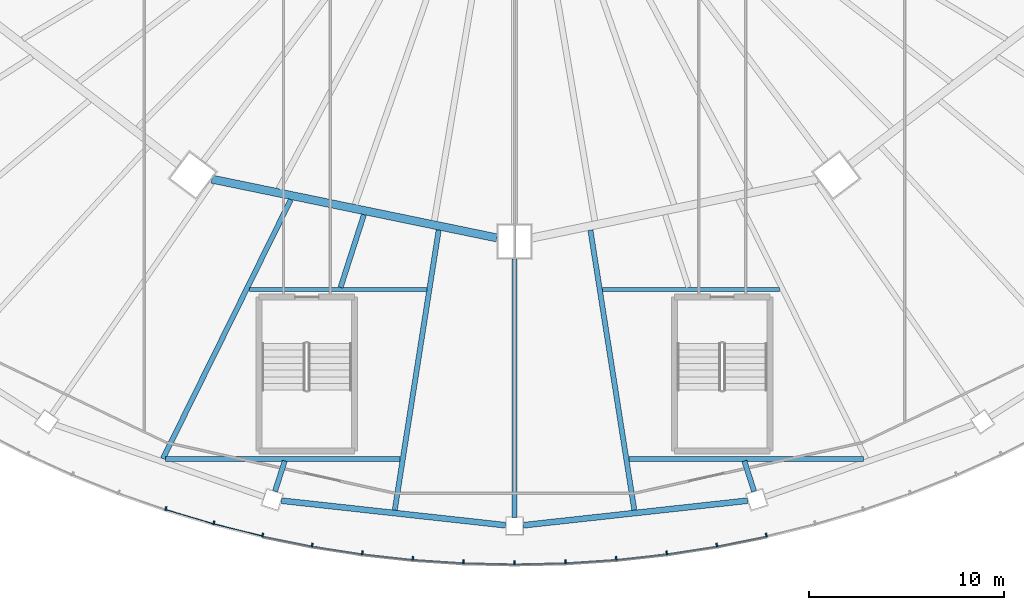
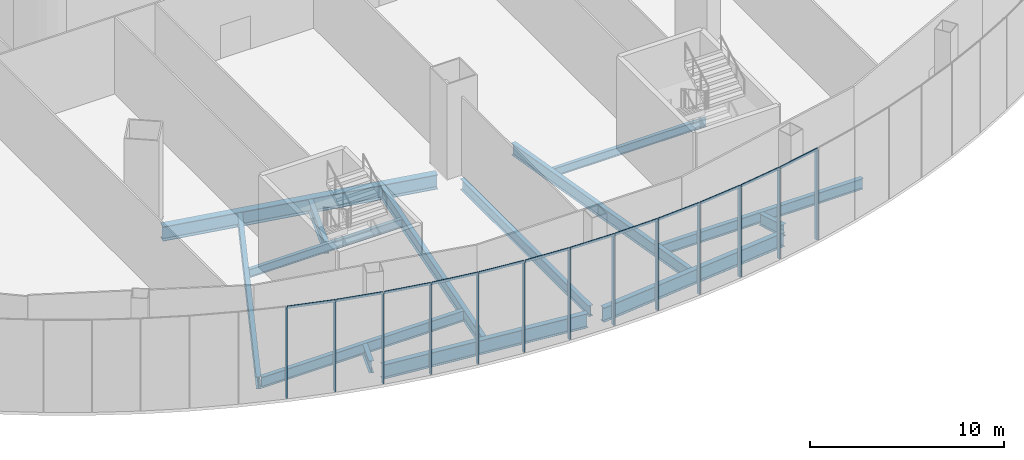
# One storey, part 4 of 37: 25 members, 14 beams, 4 elements without a shape of their own.
"""IFC4 building model written with IfcOpenShell, lengths in metres."""

from ifc_helpers import new_model, si_unit, direction, frame, origin, origin_2d, place, context, subcontext, project, spatial, rectangle, i_section, extrude, material, layer, layer_set, material_profile, profile_set, type_object, element, aggregate, save


model = new_model("IFC4")

# Units and contexts
model_context = context("Model", 3, precision=1e-05, world=origin(), true_north=direction((0.0, 1.0)))
body_context = subcontext(model_context, "Body", "Model", "MODEL_VIEW")
ifc_project = project(units=[si_unit("LENGTHUNIT", "METRE"), si_unit("AREAUNIT", "SQUARE_METRE"), si_unit("VOLUMEUNIT", "CUBIC_METRE"), si_unit("PLANEANGLEUNIT", "RADIAN"), si_unit("MASSUNIT", "GRAM", prefix="KILO")], contexts=[model_context])

# Site, building, storey
site_placement = place(None, origin())
site = spatial("IfcSite", under=ifc_project, at=site_placement, CompositionType="ELEMENT")
building_placement = place(site_placement, origin())
building = spatial("IfcBuilding", under=site, at=building_placement, Name="Sahrelin Media Tower", CompositionType="ELEMENT")
storey_placement = place(building_placement, frame((0.0, 0.0, 31.39990234375)))
storey = spatial("IfcBuildingStorey", under=building, at=storey_placement, Name="L04", CompositionType="ELEMENT", Elevation=31.39990234375)

# Beams
ifc_material_1 = material(Name="Steel S355", Category="steel")
ifc_material_profile_1 = material_profile(ifc_material_1, i_section(OverallWidth=0.208740234375, OverallDepth=0.5283203125, WebThickness=0.009521484375, FlangeThickness=0.01318359375, FilletRadius=0.0126953125, at=origin_2d()), Name="UB 533x210x82")
ifc_profile_set_1 = profile_set([ifc_material_profile_1], Name="Steel S355")
beam_type_1 = type_object("IfcBeamType", Name="Header beam HB6", PredefinedType="BEAM", material=ifc_profile_set_1)
for number, where, z_axis, x_axis, name in (
    (1, (-13.59814453125, -27.85009765625, -0.464111328125), (1.0, 0.0, 0.0), (0.0, 1.0, 0.0), "Header beam L04-05"),
    (2, (4.50146484375, -27.85009765625, -0.464111328125), (1.0, 0.0, 0.0), (0.0, 1.0, 0.0), "Header beam L04-07"),
):
    element("IfcBeam", number, at=place(storey_placement, frame(where, z_axis=z_axis, x_axis=x_axis)), inside=storey, type_object=beam_type_1, Name=name, PredefinedType="BEAM", context=body_context, shape_type="SweptSolid", body=[
        extrude(i_section(OverallWidth=0.208740234375, OverallDepth=0.5283203125, WebThickness=0.009521484375, FlangeThickness=0.01318359375, FilletRadius=0.0126953125, at=origin_2d()), origin(), (0.0, 0.0, 1.0), 9.0966796875),
    ])
ifc_material_profile_2 = material_profile(ifc_material_1, i_section(OverallWidth=0.2529296875, OverallDepth=0.677978515625, WebThickness=0.01171875, FlangeThickness=0.01611328125, FilletRadius=0.01513671875, at=origin_2d()), Name="UB 686x254x125")
ifc_profile_set_2 = profile_set([ifc_material_profile_2], Name="Steel S355")
beam_type_2 = type_object("IfcBeamType", Name="Header beam HB8", PredefinedType="BEAM", material=ifc_profile_set_2)
for number, where, z_axis, x_axis, name in (
    (3, (-5.86572265625, -36.550048828125, -0.538818359375), (-1.0, 0.0, 0.0), (0.0, -1.0, 0.0), "Header beam L04-06"),
    (4, (17.892333984375, -36.550048828125, -0.538818359375), (-1.0, 0.0, 0.0), (0.0, -1.0, 0.0), "Header beam L04-08"),
):
    element("IfcBeam", number, at=place(storey_placement, frame(where, z_axis=z_axis, x_axis=x_axis)), inside=storey, type_object=beam_type_2, Name=name, PredefinedType="BEAM", context=body_context, shape_type="SweptSolid", body=[
        extrude(i_section(OverallWidth=0.2529296875, OverallDepth=0.677978515625, WebThickness=0.01171875, FlangeThickness=0.01611328125, FilletRadius=0.01513671875, at=origin_2d()), origin(), (0.0, 0.0, 1.0), 12.026611328125),
    ])

# Curtain wall, members
ifc_material_2 = material(Name="Champagne anodised aluminium 6063-T6", Category="aluminium")
ifc_layer = layer(ifc_material_2, 0.14990234375)
ifc_layer_set = layer_set([ifc_layer], Name="Podium ribbon curtain wall")
curtain_wall_type = type_object("IfcCurtainWallType", Name="Podium ribbon curtain wall", PredefinedType="NOTDEFINED", material=ifc_layer_set)
curtain_wall_1_placement = place(storey_placement, frame((-25.0, -36.373046875, 0.0), z_axis=(0.0, 0.0, 1.0), x_axis=(1.0, 0.0, 0.0)))
curtain_wall_1 = element("IfcCurtainWall", 5, at=curtain_wall_1_placement, inside=storey, type_object=curtain_wall_type, Name="L04:CW:L04-P16", PredefinedType="NOTDEFINED")
ifc_material_profile_3 = material_profile(ifc_material_2, rectangle(XDim=0.080078125, YDim=0.199951171875, at=origin_2d()), Name="Mullion 80x200")
ifc_profile_set_3 = profile_set([ifc_material_profile_3], Name="Champagne anodised aluminium 6063-T6")
member_type_1 = type_object("IfcMemberType", Name="Mullion 80x200 CW5", PredefinedType="MULLION", material=ifc_profile_set_3)
member_1_placement = place(storey_placement, frame((-17.88427734375, -39.095458984375, 0.0), z_axis=(0.0, 0.0, 1.0), x_axis=(0.958494922328, -0.285109599754, 0.0)))
member_1 = element("IfcMember", 6, at=member_1_placement, type_object=member_type_1, Name="L04:CWM4:L04-P16", PredefinedType="MULLION", context=body_context, shape_type="SweptSolid", body=[
    extrude(rectangle(XDim=0.080078125, YDim=0.199951171875, at=origin_2d()), origin(), (0.0, 0.0, 1.0), 5.650146484375),
])
member_2_placement = place(storey_placement, frame((-15.421875, -39.827880859375, 0.0), z_axis=(0.0, 0.0, 1.0), x_axis=(0.970410464409, -0.241461240296, 0.0)))
member_2 = element("IfcMember", 7, at=member_2_placement, type_object=member_type_1, Name="L04:CWM5:L04-P16", PredefinedType="MULLION", context=body_context, shape_type="SweptSolid", body=[
    extrude(rectangle(XDim=0.080078125, YDim=0.199951171875, at=origin_2d()), origin(), (0.0, 0.0, 1.0), 5.650146484375),
])

curtain_wall_2_placement = place(storey_placement, frame((-12.94091796875, -40.56884765625, 0.0), z_axis=(0.0, 0.0, 1.0), x_axis=(1.0, 0.0, 0.0)))
curtain_wall_2 = element("IfcCurtainWall", 8, at=curtain_wall_2_placement, inside=storey, type_object=curtain_wall_type, Name="L04:CW:L04-P17", PredefinedType="NOTDEFINED")
member_3_placement = place(storey_placement, frame((-12.917236328125, -40.451416015625, 0.0), z_axis=(0.0, 0.0, 1.0), x_axis=(0.980267034681, -0.197677871087, 0.0)))
member_3 = element("IfcMember", 9, at=member_3_placement, type_object=member_type_1, Name="L04:CWM1:L04-P17", PredefinedType="MULLION", context=body_context, shape_type="SweptSolid", body=[
    extrude(rectangle(XDim=0.080078125, YDim=0.199951171875, at=origin_2d()), origin(), (0.0, 0.0, 1.0), 5.650146484375),
])
member_4_placement = place(storey_placement, frame((-10.377197265625, -40.963623046875, 0.0), z_axis=(0.0, 0.0, 1.0), x_axis=(0.988097990296, -0.15382575068, 0.0)))
member_4 = element("IfcMember", 10, at=member_4_placement, type_object=member_type_1, Name="L04:CWM2:L04-P17", PredefinedType="MULLION", context=body_context, shape_type="SweptSolid", body=[
    extrude(rectangle(XDim=0.080078125, YDim=0.199951171875, at=origin_2d()), origin(), (0.0, 0.0, 1.0), 5.650146484375),
])
member_5_placement = place(storey_placement, frame((-7.80859375, -41.363525390625, 0.0), z_axis=(0.0, 0.0, 1.0), x_axis=(0.993941020741, -0.109914727352, 0.0)))
member_5 = element("IfcMember", 11, at=member_5_placement, type_object=member_type_1, Name="L04:CWM3:L04-P17", PredefinedType="MULLION", context=body_context, shape_type="SweptSolid", body=[
    extrude(rectangle(XDim=0.080078125, YDim=0.199951171875, at=origin_2d()), origin(), (0.0, 0.0, 1.0), 5.650146484375),
])
member_6_placement = place(storey_placement, frame((-5.218505859375, -41.650146484375, 0.0), z_axis=(0.0, 0.0, 1.0), x_axis=(0.997822354733, -0.06595868703, 0.0)))
member_6 = element("IfcMember", 12, at=member_6_placement, type_object=member_type_1, Name="L04:CWM4:L04-P17", PredefinedType="MULLION", context=body_context, shape_type="SweptSolid", body=[
    extrude(rectangle(XDim=0.080078125, YDim=0.199951171875, at=origin_2d()), origin(), (0.0, 0.0, 1.0), 5.650146484375),
])
member_7_placement = place(storey_placement, frame((-2.6142578125, -41.822509765625, 0.0), z_axis=(0.0, 0.0, 1.0), x_axis=(0.999757820498, -0.022006825162, 0.0)))
member_7 = element("IfcMember", 13, at=member_7_placement, type_object=member_type_1, Name="L04:CWM5:L04-P17", PredefinedType="MULLION", context=body_context, shape_type="SweptSolid", body=[
    extrude(rectangle(XDim=0.080078125, YDim=0.199951171875, at=origin_2d()), origin(), (0.0, 0.0, 1.0), 5.650146484375),
])

curtain_wall_3_placement = place(storey_placement, frame((0.0, -42.0, 0.0), z_axis=(0.0, 0.0, 1.0), x_axis=(1.0, 0.0, 0.0)))
curtain_wall_3 = element("IfcCurtainWall", 14, at=curtain_wall_3_placement, inside=storey, type_object=curtain_wall_type, Name="L04:CW:L04-P18", PredefinedType="NOTDEFINED")
member_8_placement = place(storey_placement, frame((-0.002685546875, -41.8798828125, 0.0), z_axis=(0.0, 0.0, 1.0), x_axis=(0.999757820498, 0.022006825162, 0.0)))
member_8 = element("IfcMember", 15, at=member_8_placement, type_object=member_type_1, Name="L04:CWM1:L04-P18", PredefinedType="MULLION", context=body_context, shape_type="SweptSolid", body=[
    extrude(rectangle(XDim=0.080078125, YDim=0.199951171875, at=origin_2d()), origin(), (0.0, 0.0, 1.0), 5.650146484375),
])
member_9_placement = place(storey_placement, frame((2.60888671875, -41.82275390625, 0.0), z_axis=(0.0, 0.0, 1.0), x_axis=(0.997822354733, 0.06595868703, 0.0)))
member_9 = element("IfcMember", 16, at=member_9_placement, type_object=member_type_1, Name="L04:CWM2:L04-P18", PredefinedType="MULLION", context=body_context, shape_type="SweptSolid", body=[
    extrude(rectangle(XDim=0.080078125, YDim=0.199951171875, at=origin_2d()), origin(), (0.0, 0.0, 1.0), 5.650146484375),
])
member_10_placement = place(storey_placement, frame((5.213134765625, -41.650634765625, 0.0), z_axis=(0.0, 0.0, 1.0), x_axis=(0.993941020741, 0.109914727352, 0.0)))
member_10 = element("IfcMember", 17, at=member_10_placement, type_object=member_type_1, Name="L04:CWM3:L04-P18", PredefinedType="MULLION", context=body_context, shape_type="SweptSolid", body=[
    extrude(rectangle(XDim=0.080078125, YDim=0.199951171875, at=origin_2d()), origin(), (0.0, 0.0, 1.0), 5.650146484375),
])
member_11_placement = place(storey_placement, frame((7.80322265625, -41.3642578125, 0.0), z_axis=(0.0, 0.0, 1.0), x_axis=(0.988097990296, 0.15382575068, 0.0)))
member_11 = element("IfcMember", 18, at=member_11_placement, type_object=member_type_1, Name="L04:CWM4:L04-P18", PredefinedType="MULLION", context=body_context, shape_type="SweptSolid", body=[
    extrude(rectangle(XDim=0.080078125, YDim=0.199951171875, at=origin_2d()), origin(), (0.0, 0.0, 1.0), 5.650146484375),
])
member_12_placement = place(storey_placement, frame((10.371826171875, -40.964599609375, 0.0), z_axis=(0.0, 0.0, 1.0), x_axis=(0.980267034681, 0.197677871087, 0.0)))
member_12 = element("IfcMember", 19, at=member_12_placement, type_object=member_type_1, Name="L04:CWM5:L04-P18", PredefinedType="MULLION", context=body_context, shape_type="SweptSolid", body=[
    extrude(rectangle(XDim=0.080078125, YDim=0.199951171875, at=origin_2d()), origin(), (0.0, 0.0, 1.0), 5.650146484375),
])

# Curtain wall, member
curtain_wall_4_placement = place(storey_placement, frame((12.94091796875, -40.56884765625, 0.0), z_axis=(0.0, 0.0, 1.0), x_axis=(1.0, 0.0, 0.0)))
curtain_wall_4 = element("IfcCurtainWall", 20, at=curtain_wall_4_placement, inside=storey, type_object=curtain_wall_type, Name="L04:CW:L04-P19", PredefinedType="NOTDEFINED")
member_13_placement = place(storey_placement, frame((12.912109375, -40.452392578125, 0.0), z_axis=(0.0, 0.0, 1.0), x_axis=(0.970410464409, 0.241461240296, 0.0)))
member_13 = element("IfcMember", 21, at=member_13_placement, type_object=member_type_1, Name="L04:CWM1:L04-P19", PredefinedType="MULLION", context=body_context, shape_type="SweptSolid", body=[
    extrude(rectangle(XDim=0.080078125, YDim=0.199951171875, at=origin_2d()), origin(), (0.0, 0.0, 1.0), 5.650146484375),
])
aggregate(curtain_wall_4, [member_13])

# Beams
ifc_material_profile_4 = material_profile(ifc_material_1, i_section(OverallWidth=0.30322265625, OverallDepth=0.903076171875, WebThickness=0.01513671875, FlangeThickness=0.020263671875, FilletRadius=0.01904296875, at=origin_2d()), Name="UB 914x305x201")
ifc_profile_set_4 = profile_set([ifc_material_profile_4], Name="Steel S355")
beam_type_3 = type_object("IfcBeamType", Name="Podium edge girder PE11", PredefinedType="BEAM", material=ifc_profile_set_4)
for number, where, z_axis, x_axis, name in (
    (22, (-11.966796875, -38.68701171875, -0.6513671875), (0.994034160473, -0.109069188193, 0.0), (0.109069188193, 0.994034160473, 0.0), "Podium edge girder L04-18"),
    (23, (0.449951171875, -39.95068359375, -0.6513671875), (0.994034160473, 0.109069188193, 0.0), (-0.109069188193, 0.994034160473, 0.0), "Podium edge girder L04-19"),
):
    element("IfcBeam", number, at=place(storey_placement, frame(where, z_axis=z_axis, x_axis=x_axis)), inside=storey, type_object=beam_type_3, Name=name, PredefinedType="BEAM", context=body_context, shape_type="SweptSolid", body=[
        extrude(i_section(OverallWidth=0.30322265625, OverallDepth=0.903076171875, WebThickness=0.01513671875, FlangeThickness=0.020263671875, FilletRadius=0.01904296875, at=origin_2d()), origin(), (0.0, 0.0, 1.0), 11.5859375),
    ])
ifc_material_profile_5 = material_profile(ifc_material_1, i_section(OverallWidth=0.41845703125, OverallDepth=0.911865234375, WebThickness=0.019287109375, FlangeThickness=0.031982421875, FilletRadius=0.024169921875, at=origin_2d()), Name="UB 914x419x343")
ifc_profile_set_5 = profile_set([ifc_material_profile_5], Name="Steel S355")
beam_type_4 = type_object("IfcBeamType", Name="Podium ring girder PG12", PredefinedType="BEAM", material=ifc_profile_set_5)
beam_1_placement = place(storey_placement, frame((-15.525634765625, -22.197998046875, -0.65576171875), z_axis=(0.979388513106, -0.201985495508, 0.0), x_axis=(0.201985495508, 0.979388513106, 0.0)))
element("IfcBeam", 24, at=beam_1_placement, inside=storey, type_object=beam_type_4, Name="Podium girder L04-09", PredefinedType="BEAM", context=body_context, shape_type="SweptSolid", body=[
    extrude(i_section(OverallWidth=0.41845703125, OverallDepth=0.911865234375, WebThickness=0.019287109375, FlangeThickness=0.031982421875, FilletRadius=0.024169921875, at=origin_2d()), origin(), (0.0, 0.0, 1.0), 14.93359375),
])
ifc_material_profile_6 = material_profile(ifc_material_1, i_section(OverallWidth=0.2529296875, OverallDepth=0.677978515625, WebThickness=0.01171875, FlangeThickness=0.01611328125, FilletRadius=0.01513671875, at=origin_2d()), Name="UB 686x254x125")
ifc_profile_set_6 = profile_set([ifc_material_profile_6], Name="Steel S355")
beam_type_5 = type_object("IfcBeamType", Name="Radial primary beam PB8", PredefinedType="BEAM", material=ifc_profile_set_6)
beam_2_placement = place(storey_placement, frame((0.0, -26.300048828125, -0.538818359375), z_axis=(0.0, -1.0, 0.0), x_axis=(1.0, 0.0, 0.0)))
element("IfcBeam", 25, at=beam_2_placement, inside=storey, type_object=beam_type_5, Name="Radial beam L04-22", PredefinedType="BEAM", context=body_context, shape_type="SweptSolid", body=[
    extrude(i_section(OverallWidth=0.2529296875, OverallDepth=0.677978515625, WebThickness=0.01171875, FlangeThickness=0.01611328125, FilletRadius=0.01513671875, at=origin_2d()), origin(), (0.0, 0.0, 1.0), 13.25),
])
ifc_material_profile_7 = material_profile(ifc_material_1, i_section(OverallWidth=0.26513671875, OverallDepth=0.75390625, WebThickness=0.0126953125, FlangeThickness=0.017578125, FilletRadius=0.0166015625, at=origin_2d()), Name="UB 762x267x147")
ifc_profile_set_7 = profile_set([ifc_material_profile_7], Name="Steel S355")
beam_type_6 = type_object("IfcBeamType", Name="Radial primary beam PB9", PredefinedType="BEAM", material=ifc_profile_set_7)
beam_3_placement = place(storey_placement, frame((-7.7236328125, -24.020751953125, -0.576904296875), z_axis=(-0.30607575523, -0.952007159669, 0.0), x_axis=(0.952007159669, -0.30607575523, 0.0)))
element("IfcBeam", 26, at=beam_3_placement, inside=storey, type_object=beam_type_6, Name="Radial beam L04-20", PredefinedType="BEAM", context=body_context, shape_type="SweptSolid", body=[
    extrude(i_section(OverallWidth=0.26513671875, OverallDepth=0.75390625, WebThickness=0.0126953125, FlangeThickness=0.017578125, FilletRadius=0.0166015625, at=origin_2d()), origin(), (0.0, 0.0, 1.0), 3.917236328125),
])
for number, where, z_axis, x_axis, name in (
    (27, (-11.784423828125, -36.64990234375, -0.576904296875), (-0.306144333921, -0.951985108501, 0.0), (0.951985108501, -0.306144333921, 0.0), "Radial beam L04-21"),
    (28, (11.784423828125, -36.64990234375, -0.576904296875), (0.306144333921, -0.951985108501, 0.0), (0.951985108501, 0.306144333921, 0.0), "Radial beam L04-24"),
):
    element("IfcBeam", number, at=place(storey_placement, frame(where, z_axis=z_axis, x_axis=x_axis)), inside=storey, type_object=beam_type_6, Name=name, PredefinedType="BEAM", context=body_context, shape_type="SweptSolid", body=[
        extrude(i_section(OverallWidth=0.26513671875, OverallDepth=0.75390625, WebThickness=0.0126953125, FlangeThickness=0.017578125, FilletRadius=0.0166015625, at=origin_2d()), origin(), (0.0, 0.0, 1.0), 1.63720703125),
    ])
ifc_material_profile_8 = material_profile(ifc_material_1, i_section(OverallWidth=0.26513671875, OverallDepth=0.75390625, WebThickness=0.0126953125, FlangeThickness=0.017578125, FilletRadius=0.0166015625, at=origin_2d()), Name="UB 762x267x147")
ifc_profile_set_8 = profile_set([ifc_material_profile_8], Name="Steel S355")
beam_type_7 = type_object("IfcBeamType", Name="Radial secondary beam SB9", PredefinedType="BEAM", material=ifc_profile_set_8)
beam_4_placement = place(storey_placement, frame((-11.47412109375, -23.247314453125, -0.576904296875), z_axis=(-0.442602611298, -0.896717864477, 0.0), x_axis=(0.896717864477, -0.442602611298, 0.0)))
element("IfcBeam", 29, at=beam_4_placement, inside=storey, type_object=beam_type_7, Name="Secondary beam L04-17", PredefinedType="BEAM", context=body_context, shape_type="SweptSolid", body=[
    extrude(i_section(OverallWidth=0.26513671875, OverallDepth=0.75390625, WebThickness=0.0126953125, FlangeThickness=0.017578125, FilletRadius=0.0166015625, at=origin_2d()), origin(), (0.0, 0.0, 1.0), 14.8232421875),
])
for number, where, z_axis, x_axis, name in (
    (30, (-3.890869140625, -24.811279296875, -0.576904296875), (-0.154919883605, -0.987927036609, 0.0), (0.987927036609, -0.154919883605, 0.0), "Secondary beam L04-18"),
    (31, (3.890869140625, -24.811279296875, -0.576904296875), (0.154919883605, -0.987927036609, 0.0), (0.987927036609, 0.154919883605, 0.0), "Secondary beam L04-19"),
):
    element("IfcBeam", number, at=place(storey_placement, frame(where, z_axis=z_axis, x_axis=x_axis)), inside=storey, type_object=beam_type_7, Name=name, PredefinedType="BEAM", context=body_context, shape_type="SweptSolid", body=[
        extrude(i_section(OverallWidth=0.26513671875, OverallDepth=0.75390625, WebThickness=0.0126953125, FlangeThickness=0.017578125, FilletRadius=0.0166015625, at=origin_2d()), origin(), (0.0, 0.0, 1.0), 14.537841796875),
    ])

# Member
ifc_material_profile_9 = material_profile(ifc_material_2, rectangle(XDim=0.06005859375, YDim=0.14990234375, at=origin_2d()), Name="Transom 60x150")
ifc_profile_set_9 = profile_set([ifc_material_profile_9], Name="Champagne anodised aluminium 6063-T6")
member_type_2 = type_object("IfcMemberType", Name="Transom 60x150 CW5", PredefinedType="USERDEFINED", material=ifc_profile_set_9)
member_14_placement = place(storey_placement, frame((-17.856201171875, -39.1767578125, 5.72509765625), z_axis=(0.958497078849, -0.285102349758, 0.0), x_axis=(0.285102349758, 0.958497078849, 0.0)))
member_14 = element("IfcMember", 32, at=member_14_placement, type_object=member_type_2, Name="L04:CWT4a:L04-P16", ObjectType="TRANSOM", PredefinedType="USERDEFINED", context=body_context, shape_type="SweptSolid", body=[
    extrude(rectangle(XDim=0.06005859375, YDim=0.14990234375, at=origin_2d()), origin(), (0.0, 0.0, 1.0), 2.5244140625),
])

member_15_placement = place(storey_placement, frame((-15.39013671875, -39.907958984375, 5.72509765625), z_axis=(0.970396770558, -0.241516267963, 0.0), x_axis=(0.241516267963, 0.970396770558, 0.0)))
member_15 = element("IfcMember", 33, at=member_15_placement, type_object=member_type_2, Name="L04:CWT5a:L04-P16", ObjectType="TRANSOM", PredefinedType="USERDEFINED", context=body_context, shape_type="SweptSolid", body=[
    extrude(rectangle(XDim=0.06005859375, YDim=0.14990234375, at=origin_2d()), origin(), (0.0, 0.0, 1.0), 2.536376953125),
])

aggregate(curtain_wall_1, [member_1, member_14, member_2, member_15])

member_16_placement = place(storey_placement, frame((-12.882080078125, -40.52978515625, 5.72509765625), z_axis=(0.980266003838, -0.197682982877, 0.0), x_axis=(0.197682982877, 0.980266003838, 0.0)))
member_16 = element("IfcMember", 34, at=member_16_placement, type_object=member_type_2, Name="L04:CWT1a:L04-P17", ObjectType="TRANSOM", PredefinedType="USERDEFINED", context=body_context, shape_type="SweptSolid", body=[
    extrude(rectangle(XDim=0.06005859375, YDim=0.14990234375, at=origin_2d()), origin(), (0.0, 0.0, 1.0), 2.546630859375),
])

member_17_placement = place(storey_placement, frame((-10.33837890625, -41.04052734375, 5.72509765625), z_axis=(0.98809388136, -0.153852142069, 0.0), x_axis=(0.153852142069, 0.98809388136, 0.0)))
member_17 = element("IfcMember", 35, at=member_17_placement, type_object=member_type_2, Name="L04:CWT2a:L04-P17", ObjectType="TRANSOM", PredefinedType="USERDEFINED", context=body_context, shape_type="SweptSolid", body=[
    extrude(rectangle(XDim=0.06005859375, YDim=0.14990234375, at=origin_2d()), origin(), (0.0, 0.0, 1.0), 2.554931640625),
])

member_18_placement = place(storey_placement, frame((-7.7666015625, -41.438720703125, 5.72509765625), z_axis=(0.9939417213, -0.109908392122, 0.0), x_axis=(0.109908392122, 0.9939417213, 0.0)))
member_18 = element("IfcMember", 36, at=member_18_placement, type_object=member_type_2, Name="L04:CWT3a:L04-P17", ObjectType="TRANSOM", PredefinedType="USERDEFINED", context=body_context, shape_type="SweptSolid", body=[
    extrude(rectangle(XDim=0.06005859375, YDim=0.14990234375, at=origin_2d()), origin(), (0.0, 0.0, 1.0), 2.561279296875),
])

member_19_placement = place(storey_placement, frame((-5.173095703125, -41.723388671875, 5.72509765625), z_axis=(0.997822480178, -0.065956789275, 0.0), x_axis=(0.065956789275, 0.997822480178, 0.0)))
member_19 = element("IfcMember", 37, at=member_19_placement, type_object=member_type_2, Name="L04:CWT4a:L04-P17", ObjectType="TRANSOM", PredefinedType="USERDEFINED", context=body_context, shape_type="SweptSolid", body=[
    extrude(rectangle(XDim=0.06005859375, YDim=0.14990234375, at=origin_2d()), origin(), (0.0, 0.0, 1.0), 2.565185546875),
])

member_20_placement = place(storey_placement, frame((-2.565673828125, -41.8935546875, 5.72509765625), z_axis=(0.999758731389, -0.021965404884, 0.0), x_axis=(0.021965404884, 0.999758731389, 0.0)))
member_20 = element("IfcMember", 38, at=member_20_placement, type_object=member_type_2, Name="L04:CWT5a:L04-P17", ObjectType="TRANSOM", PredefinedType="USERDEFINED", context=body_context, shape_type="SweptSolid", body=[
    extrude(rectangle(XDim=0.06005859375, YDim=0.14990234375, at=origin_2d()), origin(), (0.0, 0.0, 1.0), 2.567626953125),
])

aggregate(curtain_wall_2, [member_3, member_16, member_4, member_17, member_5, member_18, member_6, member_19, member_7, member_20])

member_21_placement = place(storey_placement, frame((0.048828125, -41.948974609375, 5.72509765625), z_axis=(0.999756638726, 0.022060447041, 0.0), x_axis=(-0.022060447041, 0.999756638726, 0.0)))
member_21 = element("IfcMember", 39, at=member_21_placement, type_object=member_type_2, Name="L04:CWT1a:L04-P18", ObjectType="TRANSOM", PredefinedType="USERDEFINED", context=body_context, shape_type="SweptSolid", body=[
    extrude(rectangle(XDim=0.06005859375, YDim=0.14990234375, at=origin_2d()), origin(), (0.0, 0.0, 1.0), 2.567626953125),
])

member_22_placement = place(storey_placement, frame((2.663330078125, -41.88916015625, 5.72509765625), z_axis=(0.997822894162, 0.065950526052, 0.0), x_axis=(-0.065950526052, 0.997822894162, 0.0)))
member_22 = element("IfcMember", 40, at=member_22_placement, type_object=member_type_2, Name="L04:CWT2a:L04-P18", ObjectType="TRANSOM", PredefinedType="USERDEFINED", context=body_context, shape_type="SweptSolid", body=[
    extrude(rectangle(XDim=0.06005859375, YDim=0.14990234375, at=origin_2d()), origin(), (0.0, 0.0, 1.0), 2.5654296875),
])

member_23_placement = place(storey_placement, frame((5.2705078125, -41.714599609375, 5.72509765625), z_axis=(0.9939417213, 0.109908392122, 0.0), x_axis=(-0.109908392122, 0.9939417213, 0.0)))
member_23 = element("IfcMember", 41, at=member_23_placement, type_object=member_type_2, Name="L04:CWT3a:L04-P18", ObjectType="TRANSOM", PredefinedType="USERDEFINED", context=body_context, shape_type="SweptSolid", body=[
    extrude(rectangle(XDim=0.06005859375, YDim=0.14990234375, at=origin_2d()), origin(), (0.0, 0.0, 1.0), 2.561279296875),
])

member_24_placement = place(storey_placement, frame((7.86328125, -41.42578125, 5.72509765625), z_axis=(0.988096142999, 0.153837616307, 0.0), x_axis=(-0.153837616307, 0.988096142999, 0.0)))
member_24 = element("IfcMember", 42, at=member_24_placement, type_object=member_type_2, Name="L04:CWT4a:L04-P18", ObjectType="TRANSOM", PredefinedType="USERDEFINED", context=body_context, shape_type="SweptSolid", body=[
    extrude(rectangle(XDim=0.06005859375, YDim=0.14990234375, at=origin_2d()), origin(), (0.0, 0.0, 1.0), 2.55517578125),
])

member_25_placement = place(storey_placement, frame((10.434814453125, -41.023193359375, 5.72509765625), z_axis=(0.980284577643, 0.197590857166, 0.0), x_axis=(-0.197590857166, 0.980284577643, 0.0)))
member_25 = element("IfcMember", 43, at=member_25_placement, type_object=member_type_2, Name="L04:CWT5a:L04-P18", ObjectType="TRANSOM", PredefinedType="USERDEFINED", context=body_context, shape_type="SweptSolid", body=[
    extrude(rectangle(XDim=0.06005859375, YDim=0.14990234375, at=origin_2d()), origin(), (0.0, 0.0, 1.0), 2.546630859375),
])

aggregate(curtain_wall_3, [member_8, member_21, member_9, member_22, member_10, member_23, member_11, member_24, member_12, member_25])

save(model, "model.ifc")
